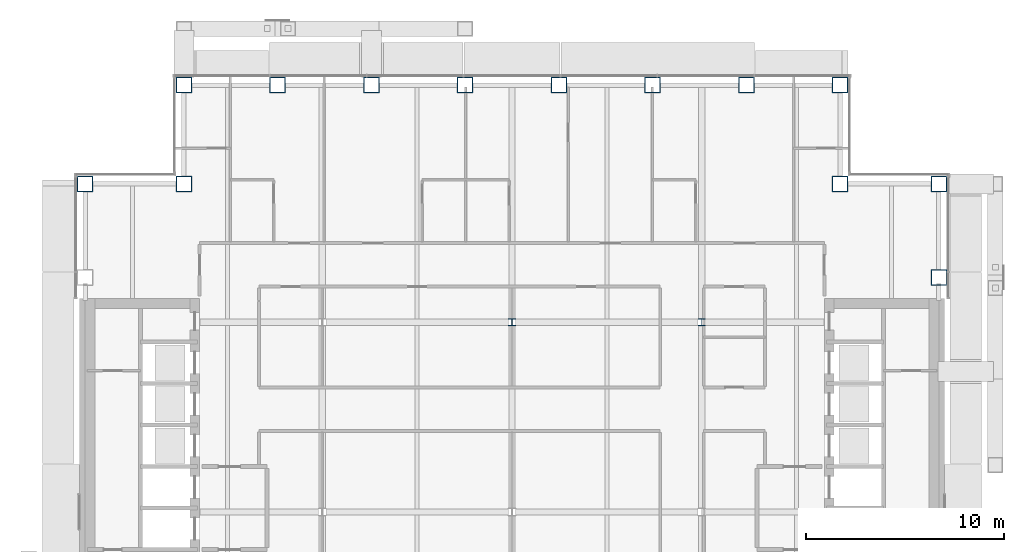
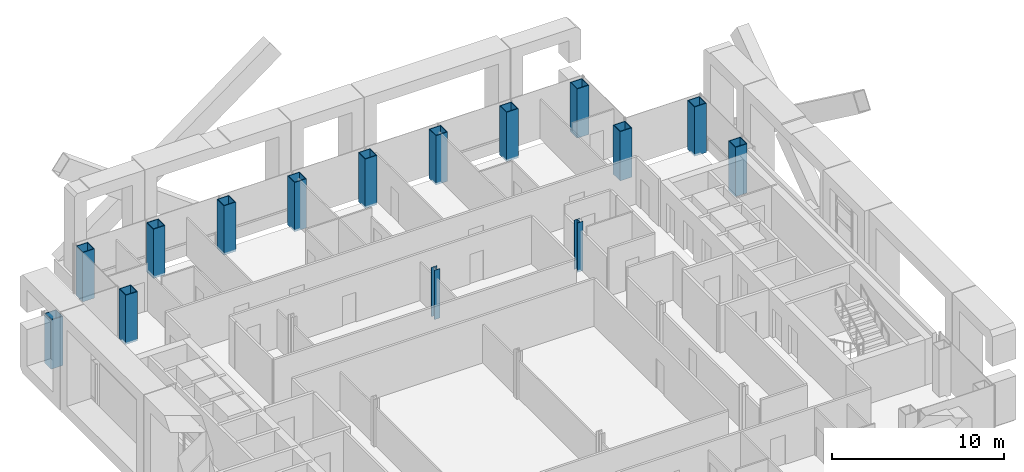
# One storey, part 2 of 22: 15 columns.
"""IFC4 building model written with IfcOpenShell, lengths in metres."""

from ifc_helpers import new_model, si_unit, direction, frame, origin, origin_2d, place, context, subcontext, project, spatial, hollow_rectangle, i_section, extrude, material, material_profile, profile_set, type_object, element, save


model = new_model("IFC4")

# Units and contexts
model_context = context("Model", 3, precision=1e-05, world=origin(), true_north=direction((0.0, 1.0)))
body_context = subcontext(model_context, "Body", "Model", "MODEL_VIEW")
ifc_project = project(units=[si_unit("LENGTHUNIT", "METRE"), si_unit("AREAUNIT", "SQUARE_METRE"), si_unit("VOLUMEUNIT", "CUBIC_METRE"), si_unit("PLANEANGLEUNIT", "RADIAN"), si_unit("MASSUNIT", "GRAM", prefix="KILO")], contexts=[model_context])

# Site, building, storey
site_placement = place(None, origin())
site = spatial("IfcSite", under=ifc_project, at=site_placement, CompositionType="ELEMENT")
building_placement = place(site_placement, origin())
building = spatial("IfcBuilding", under=site, at=building_placement, Name="Cobrizo Arcos Hotel Tower", CompositionType="ELEMENT")
storey_placement = place(building_placement, frame((0.0, 0.0, 176.0)))
storey = spatial("IfcBuildingStorey", under=building, at=storey_placement, Name="L45", CompositionType="ELEMENT", Elevation=176.0)

# Columns
ifc_material_1 = material(Name="Steel ASTM A572 Grade 50", Category="steel")
ifc_material_profile_1 = material_profile(ifc_material_1, hollow_rectangle(XDim=0.800048828125, YDim=0.800048828125, WallThickness=0.044921875, at=origin_2d()), Name="BOX 800X800X45")
ifc_profile_set_1 = profile_set([ifc_material_profile_1], Name="Steel ASTM A572 Grade 50")
column_type_1 = type_object("IfcColumnType", Name="BOX 800X800X45 column", PredefinedType="COLUMN", material=ifc_profile_set_1)
for number, where, z_axis, x_axis, name in (
    (1, (-16.60009765625, 21.60009765625, -0.14990234375), (0.0, 0.0, 1.0), (1.0, 0.0, 0.0), "Perimeter column C8, L45, no. 00"),
    (2, (-11.85693359375, 21.60009765625, -0.14990234375), (0.0, 0.0, 1.0), (1.0, 0.0, 0.0), "Perimeter column C8, L45, no. 02"),
    (3, (-7.114013671875, 21.60009765625, -0.14990234375), (0.0, 0.0, 1.0), (1.0, 0.0, 0.0), "Perimeter column C8, L45, no. 04"),
    (4, (-2.37109375, 21.60009765625, -0.14990234375), (0.0, 0.0, 1.0), (1.0, 0.0, 0.0), "Perimeter column C8, L45, no. 06"),
    (5, (2.37109375, 21.60009765625, -0.14990234375), (0.0, 0.0, 1.0), (1.0, 0.0, 0.0), "Perimeter column C8, L45, no. 08"),
    (6, (7.114013671875, 21.60009765625, -0.14990234375), (0.0, 0.0, 1.0), (1.0, 0.0, 0.0), "Perimeter column C8, L45, no. 10"),
    (7, (11.85693359375, 21.60009765625, -0.14990234375), (0.0, 0.0, 1.0), (1.0, 0.0, 0.0), "Perimeter column C8, L45, no. 12"),
    (8, (16.60009765625, 21.60009765625, -0.14990234375), (0.0, 0.0, 1.0), (1.0, 0.0, 0.0), "Perimeter column C8, L45, no. 14"),
    (9, (21.60009765625, 11.85693359375, -0.14990234375), (0.0, 0.0, 1.0), (1.0, 0.0, 0.0), "Perimeter column C8, L45, no. 20"),
    (10, (21.60009765625, 16.60009765625, -0.14990234375), (0.0, 0.0, 1.0), (1.0, 0.0, 0.0), "Perimeter column C8, L45, no. 22"),
    (11, (-21.60009765625, 16.60009765625, -0.14990234375), (0.0, 0.0, 1.0), (1.0, 0.0, 0.0), "Perimeter column C8, L45, no. 23"),
    (12, (-16.60009765625, 16.60009765625, -0.14990234375), (0.0, 0.0, 1.0), (1.0, 0.0, 0.0), "Perimeter column C8, L45, no. 25"),
    (13, (16.60009765625, 16.60009765625, -0.14990234375), (0.0, 0.0, 1.0), (1.0, 0.0, 0.0), "Perimeter column C8, L45, no. 27"),
):
    element("IfcColumn", number, at=place(storey_placement, frame(where, z_axis=z_axis, x_axis=x_axis)), inside=storey, type_object=column_type_1, Name=name, PredefinedType="COLUMN", context=body_context, shape_type="SweptSolid", body=[
        extrude(hollow_rectangle(XDim=0.800048828125, YDim=0.800048828125, WallThickness=0.044921875, at=origin_2d()), origin(), (0.0, 0.0, 1.0), 3.5),
    ])
ifc_material_2 = material(Name="Steel ASTM A992 Grade 50", Category="steel")
ifc_material_profile_2 = material_profile(ifc_material_2, i_section(OverallWidth=0.373291015625, OverallDepth=0.373291015625, WebThickness=0.016357421875, FlangeThickness=0.026123046875, at=origin_2d()), Name="W14X132")
ifc_profile_set_2 = profile_set([ifc_material_profile_2], Name="Steel ASTM A992 Grade 50")
column_type_2 = type_object("IfcColumnType", Name="W14X132 interior column", PredefinedType="COLUMN", material=ifc_profile_set_2)
for number, where, z_axis, x_axis, name in (
    (14, (0.0, 9.60009765625, -0.14990234375), (0.0, 0.0, 1.0), (1.0, 0.0, 0.0), "Interior column C9, L45, no. 05"),
    (15, (9.60009765625, 9.60009765625, -0.14990234375), (0.0, 0.0, 1.0), (1.0, 0.0, 0.0), "Interior column C9, L45, no. 08"),
):
    element("IfcColumn", number, at=place(storey_placement, frame(where, z_axis=z_axis, x_axis=x_axis)), inside=storey, type_object=column_type_2, Name=name, PredefinedType="COLUMN", context=body_context, shape_type="SweptSolid", body=[
        extrude(i_section(OverallWidth=0.373291015625, OverallDepth=0.373291015625, WebThickness=0.016357421875, FlangeThickness=0.026123046875, at=origin_2d()), origin(), (0.0, 0.0, 1.0), 3.5),
    ])

save(model, "model.ifc")
